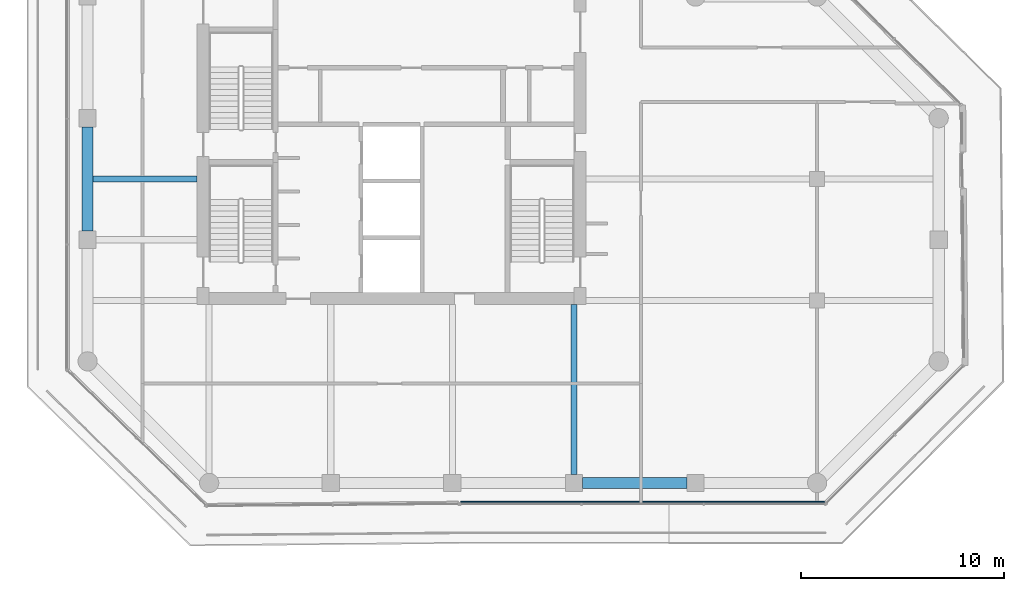
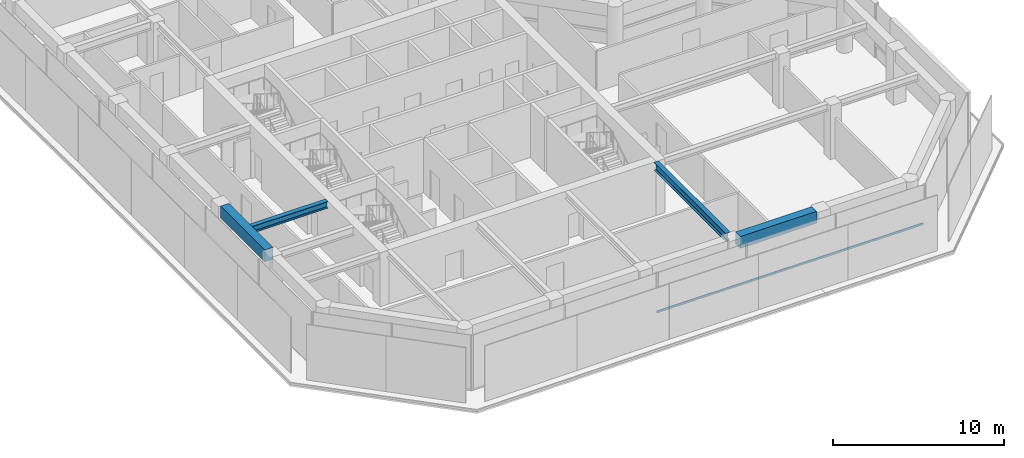
# One storey, part 3 of 19: 4 beams, 1 member, 1 element without a shape of its own.
"""IFC4 building model written with IfcOpenShell, lengths in metres."""

import ifcopenshell
import ifcopenshell.guid

model = None  # the IFC model being written
_history = None  # IfcOwnerHistory: only IFC2X3 demands one
_inside = {}  # id of a spatial element -> (the spatial element, [elements in it])
_under = {}  # id of a project, library or spatial element -> (it, [spatial elements below it])
_declared = {}  # id of a project -> (the project, [libraries it declares])
_typed = {}  # id of a type object -> (the type object, [elements of that type])
_made_of = {}  # id of a material, layer set ... -> (it, [elements and type objects made of it])


def new_model(schema):
    """Start an empty IFC model of exactly this schema.

    Asked for "IFC4X3", IfcOpenShell would pick the latest addendum, in which some entities
    have other attributes; the version numbers below select the first issue.
    IFC2X3 requires an IfcOwnerHistory on every rooted entity: one is made here for all.
    """
    global model, _history
    if schema == "IFC4X3":
        model = ifcopenshell.file(schema_version=(4, 3, 0, 0))
    else:
        model = ifcopenshell.file(schema=schema)
    _inside.clear()
    _under.clear()
    _declared.clear()
    _typed.clear()
    _made_of.clear()
    _history = None
    if model.schema == "IFC2X3":
        org = make("IfcOrganization", Name="unknown")
        user = make(
            "IfcPersonAndOrganization",
            ThePerson=make("IfcPerson", FamilyName="unknown"),
            TheOrganization=org,
        )
        app = make(
            "IfcApplication",
            ApplicationDeveloper=org,
            Version="unknown",
            ApplicationFullName="unknown",
            ApplicationIdentifier="unknown",
        )
        _history = make(
            "IfcOwnerHistory",
            OwningUser=user,
            OwningApplication=app,
            ChangeAction="ADDED",
            CreationDate=0,
        )
    return model


def make(cls, **values):
    """One entity of the class cls with the attributes given. An attribute that is None is left unset."""
    return model.create_entity(
        cls, **{name: value for name, value in values.items() if value is not None}
    )


def rooted(cls, **values):
    """An entity with a GlobalId (a new one), such as an element, a storey or a relation."""
    return make(cls, GlobalId=ifcopenshell.guid.new(), OwnerHistory=_history, **values)


def si_unit(unit_type, name, prefix=None):
    """IfcSIUnit, for example si_unit("LENGTHUNIT", "METRE", prefix="MILLI")."""
    return make("IfcSIUnit", UnitType=unit_type, Prefix=prefix, Name=name)


def assignment(units):
    """IfcUnitAssignment: the units of a project."""
    return None if units is None else make("IfcUnitAssignment", Units=units)


def point(xyz):
    """IfcCartesianPoint."""
    return None if xyz is None else make("IfcCartesianPoint", Coordinates=xyz)


def direction(xyz):
    """IfcDirection."""
    return None if xyz is None else make("IfcDirection", DirectionRatios=xyz)


def frame(location, z_axis=None, x_axis=None):
    """IfcAxis2Placement3D, a coordinate frame: its origin and axes. An axis left out is left unset."""
    return make(
        "IfcAxis2Placement3D",
        Location=point(location),
        Axis=direction(z_axis),
        RefDirection=direction(x_axis),
    )


def frame_2d(location, x_axis=None):
    """IfcAxis2Placement2D, a coordinate frame in the plane: its origin and x axis."""
    return make(
        "IfcAxis2Placement2D", Location=point(location), RefDirection=direction(x_axis)
    )


def origin():
    """The frame at (0, 0, 0) with its axes left unset."""
    return frame((0.0, 0.0, 0.0))


def origin_2d():
    """The frame at (0, 0) in the plane with its x axis left unset."""
    return frame_2d((0.0, 0.0))


def place(relative_to, where):
    """IfcLocalPlacement: puts the frame where relative to a parent placement (None: the world)."""
    return make(
        "IfcLocalPlacement", PlacementRelTo=relative_to, RelativePlacement=where
    )


def context(
    kind, dimensions, precision=None, world=None, true_north=None, identifier=None
):
    """IfcGeometricRepresentationContext, for example the 3D "Model" context."""
    return make(
        "IfcGeometricRepresentationContext",
        ContextIdentifier=identifier,
        ContextType=kind,
        CoordinateSpaceDimension=dimensions,
        Precision=precision,
        WorldCoordinateSystem=world,
        TrueNorth=true_north,
    )


def subcontext(parent, identifier, kind, view, scale=None):
    """IfcGeometricRepresentationSubContext, for example "Body" below "Model"."""
    return make(
        "IfcGeometricRepresentationSubContext",
        ContextIdentifier=identifier,
        ContextType=kind,
        ParentContext=parent,
        TargetScale=scale,
        TargetView=view,
    )


def project(units=None, contexts=None):
    """IfcProject with its units and contexts."""
    return rooted(
        "IfcProject",
        Name="project",
        RepresentationContexts=contexts,
        UnitsInContext=assignment(units),
    )


def spatial(cls, under=None, at=None, **own):
    """A site, building, storey or space (cls), placed at a placement, below another one or the project."""
    s = rooted(cls, ObjectPlacement=at, **own)
    if under is not None:
        _under.setdefault(under.id(), (under, []))[1].append(s)
    return s


def profile(cls, at=None, kind="AREA", **sizes):
    """A parametric profile (cls). Its sizes go by their IFC names, for example OverallWidth=200.0."""
    return make(cls, ProfileType=kind, Position=at, **sizes)


def rectangle(**sizes):
    """IfcRectangleProfileDef."""
    return profile("IfcRectangleProfileDef", **sizes)


def i_section(**sizes):
    """IfcIShapeProfileDef."""
    return profile("IfcIShapeProfileDef", **sizes)


def extrude(swept, where, along, depth):
    """IfcExtrudedAreaSolid: the profile swept, set in the frame where, extruded along a direction by depth."""
    return make(
        "IfcExtrudedAreaSolid",
        SweptArea=swept,
        Position=where,
        ExtrudedDirection=direction(along),
        Depth=depth,
    )


def shape(context_of_items, identifier, shape_type, items):
    """IfcShapeRepresentation: the items that make up one representation, for example the "Body"."""
    return make(
        "IfcShapeRepresentation",
        ContextOfItems=context_of_items,
        RepresentationIdentifier=identifier,
        RepresentationType=shape_type,
        Items=items,
    )


def material(Name=None, Category=None):
    """IfcMaterial."""
    return make("IfcMaterial", Name=Name, Category=Category)


def layer(
    of_material, thickness, ventilated=None, Name=None, Category=None, Priority=None
):
    """IfcMaterialLayer: one layer of a wall or slab, of a material (None: an air gap)."""
    return make(
        "IfcMaterialLayer",
        Material=of_material,
        LayerThickness=thickness,
        IsVentilated=ventilated,
        Name=Name,
        Category=Category,
        Priority=Priority,
    )


def layer_set(layers, Name=None):
    """IfcMaterialLayerSet."""
    return make("IfcMaterialLayerSet", MaterialLayers=layers, LayerSetName=Name)


def material_profile(
    of_material, cross_section, Name=None, Category=None, Priority=None
):
    """IfcMaterialProfile: a cross section and its material."""
    return make(
        "IfcMaterialProfile",
        Name=Name,
        Material=of_material,
        Profile=cross_section,
        Priority=Priority,
        Category=Category,
    )


def profile_set(profiles, Name=None, composite=None):
    """IfcMaterialProfileSet."""
    return make(
        "IfcMaterialProfileSet",
        Name=Name,
        MaterialProfiles=profiles,
        CompositeProfile=composite,
    )


def made_of(thing, what):
    """Note that an element or type object is made of a material, layer set ...; save() writes the relation."""
    if what is not None:
        _made_of.setdefault(what.id(), (what, []))[1].append(thing)
    return thing


def type_object(cls, material=None, **own):
    """A type object (cls), such as IfcWallType, which elements share."""
    return made_of(rooted(cls, **own), material)


def element(
    cls,
    number,
    at=None,
    inside=None,
    cuts=None,
    type_object=None,
    material=None,
    context=None,
    identifier="Body",
    shape_type=None,
    held_by="IfcProductDefinitionShape",
    body=None,
    shapes=None,
    **own,
):
    """One element of the class cls, such as IfcWall. Its Tag is "e" and its number.

    at: its placement. inside: the storey or other place that contains it. cuts: it is an
    opening in that element (IfcRelVoidsElement). A single representation is given by context,
    identifier, shape_type and body (its items); several are given by shapes. held_by: the class
    of the entity that holds the representations. save() writes the other relations.
    """
    e = rooted(cls, Tag="e%d" % number, ObjectPlacement=at, **own)
    if body is not None:
        shapes = [shape(context, identifier, shape_type, body)]
    if shapes is not None:
        e.Representation = make(held_by, Representations=shapes)
    if inside is not None:
        _inside.setdefault(inside.id(), (inside, []))[1].append(e)
    if cuts is not None:
        rooted(
            "IfcRelVoidsElement", RelatingBuildingElement=cuts, RelatedOpeningElement=e
        )
    if type_object is not None:
        _typed.setdefault(type_object.id(), (type_object, []))[1].append(e)
    return made_of(e, material)


def aggregate(whole, parts):
    """IfcRelAggregates: a whole, such as a stair, and the parts it consists of."""
    return rooted("IfcRelAggregates", RelatingObject=whole, RelatedObjects=parts)


def save(model, path):
    """Write the relations noted so far, then the file.

    IfcRelAggregates (storeys below a building ...), IfcRelContainedInSpatialStructure (elements
    in a storey), IfcRelDefinesByType, IfcRelAssociatesMaterial and IfcRelDeclares: one each for
    every whole, place, type object, material and project.
    """
    for whole, parts in _under.values():
        aggregate(whole, parts)
    for where, things in _inside.values():
        rooted(
            "IfcRelContainedInSpatialStructure",
            RelatedElements=things,
            RelatingStructure=where,
        )
    for kind, things in _typed.values():
        rooted("IfcRelDefinesByType", RelatedObjects=things, RelatingType=kind)
    for what, things in _made_of.values():
        rooted("IfcRelAssociatesMaterial", RelatedObjects=things, RelatingMaterial=what)
    for by, libraries in _declared.values():
        rooted("IfcRelDeclares", RelatingContext=by, RelatedDefinitions=libraries)
    model.write(path)


model = new_model("IFC4")

# Units and contexts
model_context = context("Model", 3, precision=1e-05, world=origin(), true_north=direction((0.0, 1.0)))
body_context = subcontext(model_context, "Body", "Model", "MODEL_VIEW")
ifc_project = project(units=[si_unit("LENGTHUNIT", "METRE"), si_unit("AREAUNIT", "SQUARE_METRE"), si_unit("VOLUMEUNIT", "CUBIC_METRE"), si_unit("PLANEANGLEUNIT", "RADIAN"), si_unit("MASSUNIT", "GRAM", prefix="KILO")], contexts=[model_context])

# Site, building, storey
site_placement = place(None, origin())
site = spatial("IfcSite", under=ifc_project, at=site_placement, CompositionType="ELEMENT")
building_placement = place(site_placement, origin())
building = spatial("IfcBuilding", under=site, at=building_placement, Name="Welwitschia Terrace Campus", CompositionType="ELEMENT")
storey_placement = place(building_placement, frame((0.0, 0.0, 171.800048828125)))
storey = spatial("IfcBuildingStorey", under=building, at=storey_placement, Name="L38", CompositionType="ELEMENT", Elevation=171.800048828125)

# Beams
ifc_material_1 = material(Name="Steel S355", Category="steel")
ifc_material_profile_1 = material_profile(ifc_material_1, i_section(OverallWidth=0.300048828125, OverallDepth=0.489990234375, WebThickness=0.011962890625, FlangeThickness=0.02294921875, FilletRadius=0.027099609375, at=origin_2d()))
ifc_profile_set_1 = profile_set([ifc_material_profile_1], Name="Steel S355")
beam_type_1 = type_object("IfcBeamType", Name="Interior girder HE 500 A", PredefinedType="BEAM", material=ifc_profile_set_1)
beam_1_placement = place(storey_placement, frame((-0.010009765625, 11.0, 3.60498046875), z_axis=(1.0, 0.0, 0.0), x_axis=(0.0, 1.0, 0.0)))
element("IfcBeam", 1, at=beam_1_placement, inside=storey, type_object=beam_type_1, Name="Girder GB4", PredefinedType="BEAM", context=body_context, shape_type="SweptSolid", body=[
    extrude(i_section(OverallWidth=0.300048828125, OverallDepth=0.489990234375, WebThickness=0.011962890625, FlangeThickness=0.02294921875, FilletRadius=0.027099609375, at=origin_2d()), origin(), (0.0, 0.0, 1.0), 5.408935546875),
])
ifc_material_2 = material(Name="Steel S355", Category="steel")
ifc_material_profile_2 = material_profile(ifc_material_2, i_section(OverallWidth=0.300048828125, OverallDepth=0.590087890625, WebThickness=0.012939453125, FlangeThickness=0.02490234375, FilletRadius=0.027099609375, at=origin_2d()))
ifc_profile_set_2 = profile_set([ifc_material_profile_2], Name="Steel S355")
beam_type_2 = type_object("IfcBeamType", Name="Primary beam HE 600 A", PredefinedType="BEAM", material=ifc_profile_set_2)
beam_2_placement = place(storey_placement, frame((24.0, -3.574462890625, 3.554931640625), z_axis=(0.0, 1.0, 0.0), x_axis=(-1.0, 0.0, 0.0)))
element("IfcBeam", 2, at=beam_2_placement, inside=storey, type_object=beam_type_2, Name="Primary beam PB4", PredefinedType="BEAM", context=body_context, shape_type="SweptSolid", body=[
    extrude(i_section(OverallWidth=0.300048828125, OverallDepth=0.590087890625, WebThickness=0.012939453125, FlangeThickness=0.02490234375, FilletRadius=0.027099609375, at=origin_2d()), origin(), (0.0, 0.0, 1.0), 8.37451171875),
])
ifc_material_3 = material(Name="Concrete C50/60", Category="concrete")
ifc_material_profile_3 = material_profile(ifc_material_3, rectangle(XDim=0.550048828125, YDim=0.85009765625, at=origin_2d()))
ifc_profile_set_3 = profile_set([ifc_material_profile_3], Name="Concrete C50/60")
beam_type_3 = type_object("IfcBeamType", Name="Ring spandrel 550x850", PredefinedType="SPANDREL", material=ifc_profile_set_3)
for number, where, z_axis, x_axis, name in (
    (3, (24.425537109375, -4.0, 3.425048828125), (1.0, 0.0, 0.0), (0.0, 1.0, 0.0), "Spandrel SP3"),
    (4, (0.0, 13.574462890625, 3.425048828125), (0.0, -1.0, 0.0), (1.0, 0.0, 0.0), "Spandrel SP3"),
):
    element("IfcBeam", number, at=place(storey_placement, frame(where, z_axis=z_axis, x_axis=x_axis)), inside=storey, type_object=beam_type_3, Name=name, PredefinedType="SPANDREL", context=body_context, shape_type="SweptSolid", body=[
        extrude(rectangle(XDim=0.550048828125, YDim=0.85009765625, at=origin_2d()), origin(), (0.0, 0.0, 1.0), 5.14892578125),
    ])

# Curtain wall, member
ifc_material_4 = material(Name="Bronze anodised aluminium", Category="aluminium")
ifc_layer = layer(ifc_material_4, 0.1201171875)
ifc_layer_set = layer_set([ifc_layer], Name="Bronze anodised aluminium")
curtain_wall_type = type_object("IfcCurtainWallType", Name="Curtain wall CW2 tower 6000", PredefinedType="NOTDEFINED", material=ifc_layer_set)
curtain_wall_placement = place(storey_placement, origin())
curtain_wall = element("IfcCurtainWall", 5, at=curtain_wall_placement, inside=storey, type_object=curtain_wall_type, Name="CW L38.4.0", PredefinedType="NOTDEFINED")
ifc_material_5 = material(Name="Bronze anodised aluminium", Category="aluminium")
ifc_material_profile_4 = material_profile(ifc_material_5, rectangle(XDim=0.06005859375, YDim=0.14990234375, at=origin_2d()))
ifc_profile_set_4 = profile_set([ifc_material_profile_4], Name="Bronze anodised aluminium")
member_type = type_object("IfcMemberType", Name="Transom 60x150", PredefinedType="USERDEFINED", material=ifc_profile_set_4)
member_placement = place(storey_placement, frame((18.411376953125, -4.93994140625, 1.0), z_axis=(1.0, 0.0, 0.0), x_axis=(0.0, 1.0, 0.0)))
member = element("IfcMember", 6, at=member_placement, type_object=member_type, Name="Transom L38.4.0", ObjectType="TRANSOM", PredefinedType="USERDEFINED", context=body_context, shape_type="SweptSolid", body=[
    extrude(rectangle(XDim=0.06005859375, YDim=0.14990234375, at=origin_2d()), origin(), (0.0, 0.0, 1.0), 17.955322265625),
])
aggregate(curtain_wall, [member])

save(model, "model.ifc")
